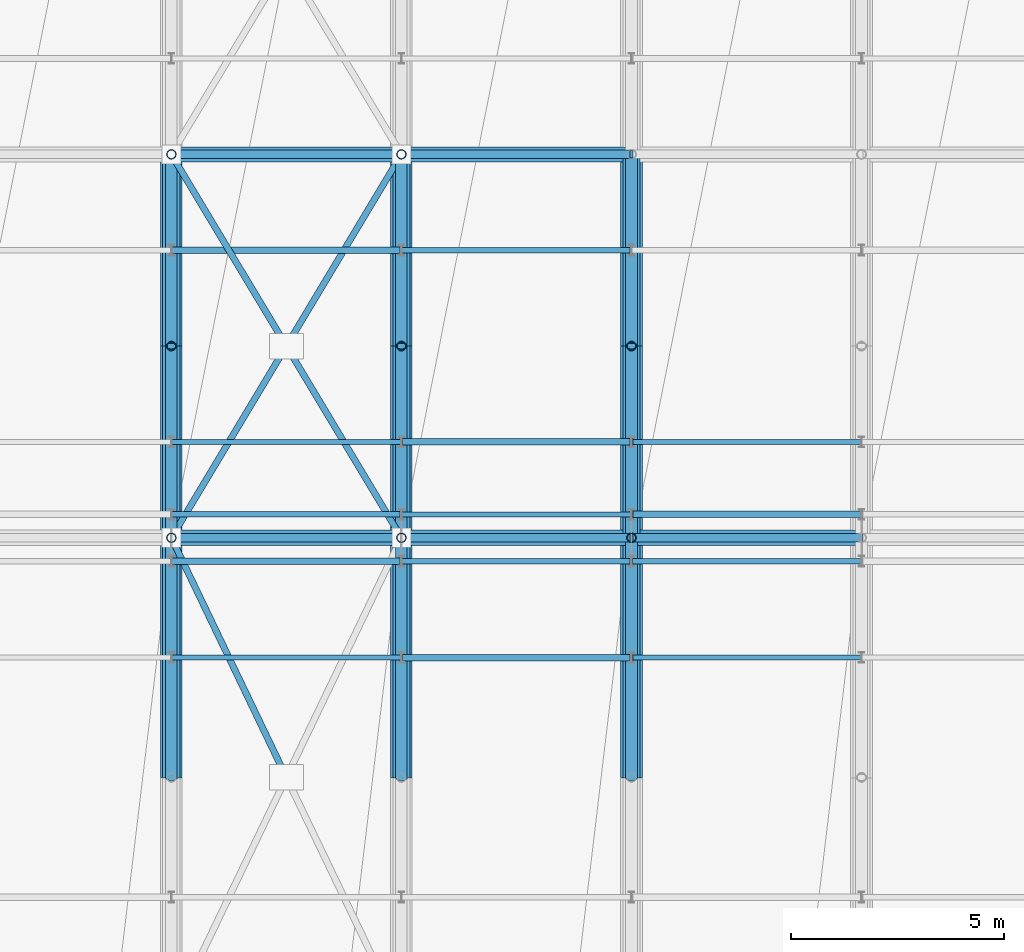
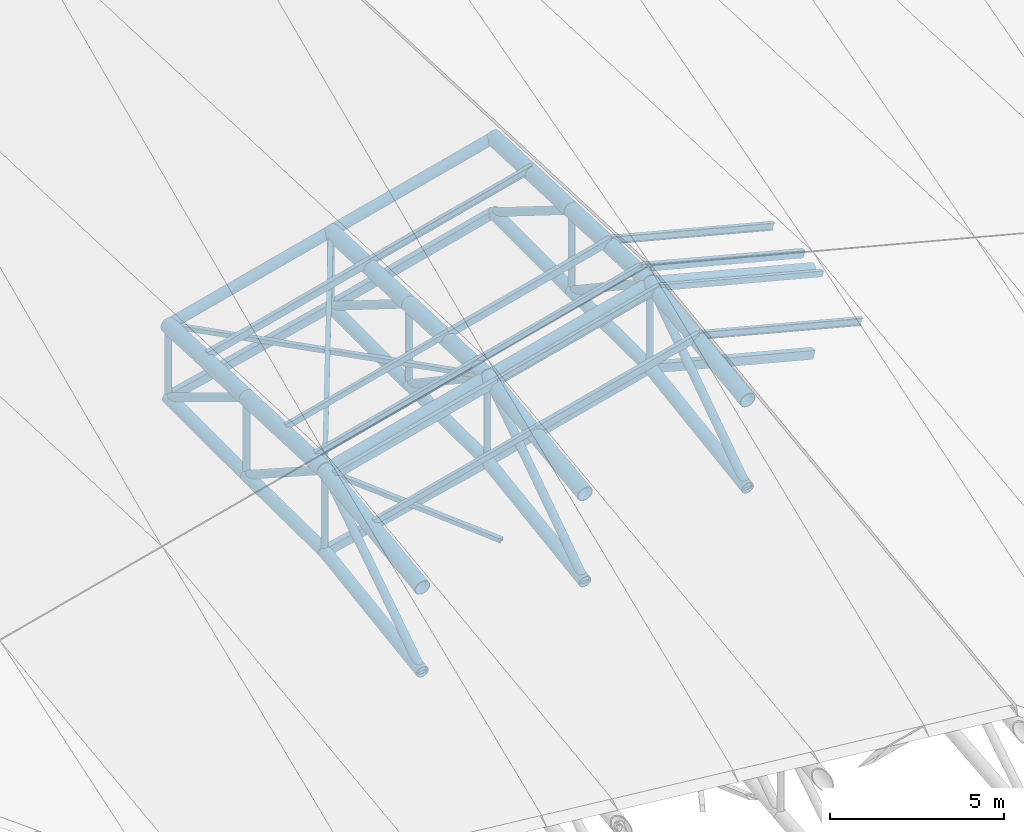
# One storey, part 23 of 109: 45 members, 18 beams.
"""IFC4 building model written with IfcOpenShell, lengths in metres."""

from ifc_helpers import new_model, si_unit, direction, frame, origin, origin_2d, place, context, subcontext, project, spatial, hollow_rectangle, hollow_circle, i_section, extrude, material, material_profile, profile_set, type_object, element, save


model = new_model("IFC4")

# Units and contexts
model_context = context("Model", 3, precision=1e-05, world=origin(), true_north=direction((0.0, 1.0)))
body_context = subcontext(model_context, "Body", "Model", "MODEL_VIEW")
ifc_project = project(units=[si_unit("LENGTHUNIT", "METRE"), si_unit("AREAUNIT", "SQUARE_METRE"), si_unit("VOLUMEUNIT", "CUBIC_METRE"), si_unit("PLANEANGLEUNIT", "RADIAN"), si_unit("MASSUNIT", "GRAM", prefix="KILO")], contexts=[model_context])

# Site, building, storey
site_placement = place(None, origin())
site = spatial("IfcSite", under=ifc_project, at=site_placement, CompositionType="ELEMENT")
building_placement = place(site_placement, origin())
building = spatial("IfcBuilding", under=site, at=building_placement, Name="Suirenkawa Promenade Aquatics Centre", CompositionType="ELEMENT")
storey_placement = place(building_placement, frame((0.0, 0.0, 22.800048828125)))
storey = spatial("IfcBuildingStorey", under=building, at=storey_placement, Name="ROOF", CompositionType="ELEMENT", Elevation=22.800048828125)

# Beams
ifc_material = material(Name="Steel IS 2062 E350 (Grade 350)", Category="steel")
ifc_material_profile_1 = material_profile(ifc_material, hollow_circle(Radius=0.202880859375, WallThickness=0.01806640625, at=origin_2d()), Name="CHS 406x18", Category="steel")
ifc_profile_set_1 = profile_set([ifc_material_profile_1], Name="Steel IS 2062 E350 (Grade 350)")
beam_type_1 = type_object("IfcBeamType", Name="BT-BC-CHS406", PredefinedType="BEAM", material=ifc_profile_set_1)
beam_1_placement = place(storey_placement, frame((100.800048828125, 89.77490234375, -10.083984375), z_axis=(0.0, 0.989465415769, 0.144769440823), x_axis=(-1.0, 0.0, 0.0)))
element("IfcBeam", 1, at=beam_1_placement, inside=storey, type_object=beam_type_1, Name="ROOF TRUSS V1 bottom chord BC-01 BM-2102", PredefinedType="BEAM", context=body_context, shape_type="SweptSolid", body=[
    extrude(hollow_circle(Radius=0.202880859375, WallThickness=0.01806640625, at=origin_2d()), origin(), (0.0, 0.0, 1.0), 5.684814453125),
])
beam_2_placement = place(storey_placement, frame((100.800048828125, 95.39990234375, -9.260986328125), z_axis=(0.0, 0.999949634201, -0.010036386845), x_axis=(-1.0, 0.0, 0.0)))
element("IfcBeam", 2, at=beam_2_placement, inside=storey, type_object=beam_type_1, Name="ROOF TRUSS V1 bottom chord BC-01 BM-2104", PredefinedType="BEAM", context=body_context, shape_type="SweptSolid", body=[
    extrude(hollow_circle(Radius=0.202880859375, WallThickness=0.01806640625, at=origin_2d()), origin(), (0.0, 0.0, 1.0), 4.500244140625),
])
beam_3_placement = place(storey_placement, frame((100.800048828125, 99.89990234375, -9.30615234375), z_axis=(0.0, 0.999999880791, 0.000488281192), x_axis=(-1.0, 0.0, 0.0)))
element("IfcBeam", 3, at=beam_3_placement, inside=storey, type_object=beam_type_1, Name="ROOF TRUSS V1 bottom chord BC-01 BM-2106", PredefinedType="BEAM", context=body_context, shape_type="SweptSolid", body=[
    extrude(hollow_circle(Radius=0.202880859375, WallThickness=0.01806640625, at=origin_2d()), origin(), (0.0, 0.0, 1.0), 4.5),
])
beam_4_placement = place(storey_placement, frame((106.199951171875, 89.77490234375, -8.80712890625), z_axis=(0.0, 0.989286297541, 0.145988429325), x_axis=(-1.0, 0.0, 0.0)))
element("IfcBeam", 4, at=beam_4_placement, inside=storey, type_object=beam_type_1, Name="ROOF TRUSS V1 bottom chord BC-01 BM-2130", PredefinedType="BEAM", context=body_context, shape_type="SweptSolid", body=[
    extrude(hollow_circle(Radius=0.202880859375, WallThickness=0.01806640625, at=origin_2d()), origin(), (0.0, 0.0, 1.0), 5.68603515625),
])
for number, where, z_axis, x_axis, name in (
    (5, (106.199951171875, 95.39990234375, -7.97705078125), (0.0, 0.999973178989, -0.007324022307), (-1.0, 0.0, 0.0), "ROOF TRUSS V1 bottom chord BC-01 BM-2132"),
    (6, (106.199951171875, 99.89990234375, -8.010009765625), (0.0, 0.999992993217, 0.003743463354), (-1.0, 0.0, 0.0), "ROOF TRUSS V1 bottom chord BC-01 BM-2134"),
):
    element("IfcBeam", number, at=place(storey_placement, frame(where, z_axis=z_axis, x_axis=x_axis)), inside=storey, type_object=beam_type_1, Name=name, PredefinedType="BEAM", context=body_context, shape_type="SweptSolid", body=[
        extrude(hollow_circle(Radius=0.202880859375, WallThickness=0.01806640625, at=origin_2d()), origin(), (0.0, 0.0, 1.0), 4.5),
    ])
beam_5_placement = place(storey_placement, frame((111.60009765625, 89.77490234375, -7.406982421875), z_axis=(0.0, 0.989292497948, 0.145946406273), x_axis=(-1.0, 0.0, 0.0)))
element("IfcBeam", 7, at=beam_5_placement, inside=storey, type_object=beam_type_1, Name="ROOF TRUSS V1 bottom chord BC-01 BM-2158", PredefinedType="BEAM", context=body_context, shape_type="SweptSolid", body=[
    extrude(hollow_circle(Radius=0.202880859375, WallThickness=0.01806640625, at=origin_2d()), origin(), (0.0, 0.0, 1.0), 5.685791015625),
])
for number, where, z_axis, x_axis, name in (
    (8, (111.60009765625, 95.39990234375, -6.5771484375), (0.0, 0.999973178989, -0.007324022307), (-1.0, 0.0, 0.0), "ROOF TRUSS V1 bottom chord BC-01 BM-2160"),
    (9, (111.60009765625, 99.89990234375, -6.610107421875), (0.0, 0.999992788652, 0.003797715669), (-1.0, 0.0, 0.0), "ROOF TRUSS V1 bottom chord BC-01 BM-2162"),
):
    element("IfcBeam", number, at=place(storey_placement, frame(where, z_axis=z_axis, x_axis=x_axis)), inside=storey, type_object=beam_type_1, Name=name, PredefinedType="BEAM", context=body_context, shape_type="SweptSolid", body=[
        extrude(hollow_circle(Radius=0.202880859375, WallThickness=0.01806640625, at=origin_2d()), origin(), (0.0, 0.0, 1.0), 4.5),
    ])
ifc_material_profile_2 = material_profile(ifc_material, hollow_circle(Radius=0.25390625, WallThickness=0.02392578125, at=origin_2d()), Name="CHS 508x24", Category="steel")
ifc_profile_set_2 = profile_set([ifc_material_profile_2], Name="Steel IS 2062 E350 (Grade 350)")
beam_type_2 = type_object("IfcBeamType", Name="BT-TC-CHS508", PredefinedType="BEAM", material=ifc_profile_set_2)
beam_6_placement = place(storey_placement, frame((100.800048828125, 89.77490234375, -7.125), z_axis=(0.0, 0.991799178012, 0.127806065951), x_axis=(-1.0, 0.0, 0.0)))
element("IfcBeam", 10, at=beam_6_placement, inside=storey, type_object=beam_type_2, Name="ROOF TRUSS V1 top chord TC-02 BM-2101", PredefinedType="BEAM", context=body_context, shape_type="SweptSolid", body=[
    extrude(hollow_circle(Radius=0.25390625, WallThickness=0.02392578125, at=origin_2d()), origin(), (0.0, 0.0, 1.0), 5.671630859375),
])
for number, where, z_axis, x_axis, name in (
    (11, (100.800048828125, 95.39990234375, -6.400146484375), (0.0, 0.999175384927, -0.040602341759), (-1.0, 0.0, 0.0), "ROOF TRUSS V1 top chord TC-02 BM-2103"),
    (12, (100.800048828125, 99.89990234375, -6.5830078125), (0.0, 0.999164352475, -0.040872934124), (-1.0, 0.0, 0.0), "ROOF TRUSS V1 top chord TC-02 BM-2105"),
):
    element("IfcBeam", number, at=place(storey_placement, frame(where, z_axis=z_axis, x_axis=x_axis)), inside=storey, type_object=beam_type_2, Name=name, PredefinedType="BEAM", context=body_context, shape_type="SweptSolid", body=[
        extrude(hollow_circle(Radius=0.25390625, WallThickness=0.02392578125, at=origin_2d()), origin(), (0.0, 0.0, 1.0), 4.503662109375),
    ])
beam_7_placement = place(storey_placement, frame((106.199951171875, 89.77490234375, -5.72509765625), z_axis=(0.0, 0.991793720609, 0.127848409297), x_axis=(-1.0, 0.0, 0.0)))
element("IfcBeam", 13, at=beam_7_placement, inside=storey, type_object=beam_type_2, Name="ROOF TRUSS V1 top chord TC-02 BM-2129", PredefinedType="BEAM", context=body_context, shape_type="SweptSolid", body=[
    extrude(hollow_circle(Radius=0.25390625, WallThickness=0.02392578125, at=origin_2d()), origin(), (0.0, 0.0, 1.0), 5.671630859375),
])
for number, where, z_axis, x_axis, name in (
    (14, (106.199951171875, 95.39990234375, -5.0), (0.0, 0.999173184279, -0.040656460949), (-1.0, 0.0, 0.0), "ROOF TRUSS V1 top chord TC-02 BM-2131"),
    (15, (106.199951171875, 99.89990234375, -5.18310546875), (0.0, 0.999166564808, -0.040818816368), (-1.0, 0.0, 0.0), "ROOF TRUSS V1 top chord TC-02 BM-2133"),
):
    element("IfcBeam", number, at=place(storey_placement, frame(where, z_axis=z_axis, x_axis=x_axis)), inside=storey, type_object=beam_type_2, Name=name, PredefinedType="BEAM", context=body_context, shape_type="SweptSolid", body=[
        extrude(hollow_circle(Radius=0.25390625, WallThickness=0.02392578125, at=origin_2d()), origin(), (0.0, 0.0, 1.0), 4.503662109375),
    ])
beam_8_placement = place(storey_placement, frame((111.60009765625, 89.77490234375, -4.324951171875), z_axis=(0.0, 0.991799178012, 0.127806065951), x_axis=(-1.0, 0.0, 0.0)))
element("IfcBeam", 16, at=beam_8_placement, inside=storey, type_object=beam_type_2, Name="ROOF TRUSS V1 top chord TC-02 BM-2157", PredefinedType="BEAM", context=body_context, shape_type="SweptSolid", body=[
    extrude(hollow_circle(Radius=0.25390625, WallThickness=0.02392578125, at=origin_2d()), origin(), (0.0, 0.0, 1.0), 5.671630859375),
])
for number, where, z_axis, x_axis, name in (
    (17, (111.60009765625, 95.39990234375, -3.60009765625), (0.0, 0.999175384927, -0.040602341759), (-1.0, 0.0, 0.0), "ROOF TRUSS V1 top chord TC-02 BM-2159"),
    (18, (111.60009765625, 99.89990234375, -3.782958984375), (0.0, 0.999164352475, -0.040872934124), (-1.0, 0.0, 0.0), "ROOF TRUSS V1 top chord TC-02 BM-2161"),
):
    element("IfcBeam", number, at=place(storey_placement, frame(where, z_axis=z_axis, x_axis=x_axis)), inside=storey, type_object=beam_type_2, Name=name, PredefinedType="BEAM", context=body_context, shape_type="SweptSolid", body=[
        extrude(hollow_circle(Radius=0.25390625, WallThickness=0.02392578125, at=origin_2d()), origin(), (0.0, 0.0, 1.0), 4.503662109375),
    ])

# Members
ifc_material_profile_3 = material_profile(ifc_material, hollow_rectangle(XDim=0.14990234375, YDim=0.14990234375, WallThickness=0.008056640625, at=origin_2d()), Name="SHS 150x150x8", Category="steel")
ifc_profile_set_3 = profile_set([ifc_material_profile_3], Name="Steel IS 2062 E350 (Grade 350)")
member_type_1 = type_object("IfcMemberType", Name="MT-BRACE-SHS150", PredefinedType="BRACE", material=ifc_profile_set_3)
member_1_placement = place(storey_placement, frame((103.462890625, 89.85205078125, -6.425048828125), z_axis=(-0.432710757709, 0.901523724047, 0.004046621187), x_axis=(-0.901531105428, -0.432714300603, 0.0)))
element("IfcMember", 19, at=member_1_placement, inside=storey, type_object=member_type_1, Name="ROOF TRUSS V1 split plan brace B BF-02 MB-0949", PredefinedType="BRACE", context=body_context, shape_type="SweptSolid", body=[
    extrude(hollow_rectangle(XDim=0.14990234375, YDim=0.14990234375, WallThickness=0.008056640625, at=origin_2d()), origin(), (0.0, 0.0, 1.0), 6.15380859375),
])
member_2_placement = place(storey_placement, frame((100.800048828125, 95.39990234375, -6.400146484375), z_axis=(0.512014028054, 0.853372146224, 0.097967418696), x_axis=(-0.857497030584, 0.514488913912, 0.0)))
element("IfcMember", 20, at=member_2_placement, inside=storey, type_object=member_type_1, Name="ROOF TRUSS V1 continuous plan brace BF-02 MB-0950", PredefinedType="BRACE", context=body_context, shape_type="SweptSolid", body=[
    extrude(hollow_rectangle(XDim=0.14990234375, YDim=0.14990234375, WallThickness=0.008056640625, at=origin_2d()), origin(), (0.0, 0.0, 1.0), 10.54638671875),
])
for number, where, z_axis, x_axis, name in (
    (21, (106.199951171875, 95.39990234375, -5.0), (-0.507387164148, 0.845583110921, -0.165974299767), (-0.857476239003, -0.514523565588, 0.0), "ROOF TRUSS V1 split plan brace A BF-02 MB-0951"),
    (22, (103.45703125, 99.971923828125, -5.89794921875), (-0.507387164148, 0.845583110921, -0.165974299767), (-0.857476239003, -0.514523565588, 0.0), "ROOF TRUSS V1 split plan brace B BF-02 MB-0952"),
):
    element("IfcMember", number, at=place(storey_placement, frame(where, z_axis=z_axis, x_axis=x_axis)), inside=storey, type_object=member_type_1, Name=name, PredefinedType="BRACE", context=body_context, shape_type="SweptSolid", body=[
        extrude(hollow_rectangle(XDim=0.14990234375, YDim=0.14990234375, WallThickness=0.008056640625, at=origin_2d()), origin(), (0.0, 0.0, 1.0), 5.236572265625),
    ])
ifc_material_profile_4 = material_profile(ifc_material, hollow_circle(Radius=0.177978515625, WallThickness=0.01611328125, at=origin_2d()), Name="CHS 356x16", Category="steel")
ifc_profile_set_4 = profile_set([ifc_material_profile_4], Name="Steel IS 2062 E350 (Grade 350)")
member_type_2 = type_object("IfcMemberType", Name="MT-CHORD-CHS356", PredefinedType="CHORD", material=ifc_profile_set_4)
member_3_placement = place(storey_placement, frame((100.800048828125, 95.39990234375, -6.400146484375), z_axis=(0.967989416096, 0.0, 0.250991016426), x_axis=(0.0, 1.0, 0.0)))
element("IfcMember", 23, at=member_3_placement, inside=storey, type_object=member_type_2, Name="ROOF TRUSS V1 tie chord CH-02 MB-0828", PredefinedType="CHORD", context=body_context, shape_type="SweptSolid", body=[
    extrude(hollow_circle(Radius=0.177978515625, WallThickness=0.01611328125, at=origin_2d()), origin(), (0.0, 0.0, 1.0), 5.578369140625),
])
member_4_placement = place(storey_placement, frame((106.199951171875, 95.39990234375, -5.0), z_axis=(0.96800280427, 0.0, 0.250939376992), x_axis=(0.0, 1.0, 0.0)))
element("IfcMember", 24, at=member_4_placement, inside=storey, type_object=member_type_2, Name="ROOF TRUSS V1 tie chord CH-02 MB-0830", PredefinedType="CHORD", context=body_context, shape_type="SweptSolid", body=[
    extrude(hollow_circle(Radius=0.177978515625, WallThickness=0.01611328125, at=origin_2d()), origin(), (0.0, 0.0, 1.0), 5.57861328125),
])
for number, where, z_axis, x_axis, name in (
    (25, (111.60009765625, 95.39990234375, -3.60009765625), (0.968000048288, 0.0, -0.250950007997), (0.0, 1.0, 0.0), "ROOF TRUSS V1 tie chord CH-02 MB-0832"),
    (26, (100.800048828125, 104.39990234375, -6.76708984375), (0.967989416096, 0.0, 0.250991016426), (0.0, 1.0, 0.0), "ROOF TRUSS V1 tie chord CH-02 MB-0868"),
):
    element("IfcMember", number, at=place(storey_placement, frame(where, z_axis=z_axis, x_axis=x_axis)), inside=storey, type_object=member_type_2, Name=name, PredefinedType="CHORD", context=body_context, shape_type="SweptSolid", body=[
        extrude(hollow_circle(Radius=0.177978515625, WallThickness=0.01611328125, at=origin_2d()), origin(), (0.0, 0.0, 1.0), 5.578369140625),
    ])
member_5_placement = place(storey_placement, frame((106.199951171875, 104.39990234375, -5.366943359375), z_axis=(0.96800280427, 0.0, 0.250939376992), x_axis=(0.0, 1.0, 0.0)))
element("IfcMember", 27, at=member_5_placement, inside=storey, type_object=member_type_2, Name="ROOF TRUSS V1 tie chord CH-02 MB-0870", PredefinedType="CHORD", context=body_context, shape_type="SweptSolid", body=[
    extrude(hollow_circle(Radius=0.177978515625, WallThickness=0.01611328125, at=origin_2d()), origin(), (0.0, 0.0, 1.0), 5.57861328125),
])
ifc_material_profile_5 = material_profile(ifc_material, hollow_rectangle(XDim=0.199951171875, YDim=0.300048828125, WallThickness=0.011962890625, at=origin_2d()), Name="RHS 300x200x12", Category="steel")
ifc_profile_set_5 = profile_set([ifc_material_profile_5], Name="Steel IS 2062 E350 (Grade 350)")
member_type_3 = type_object("IfcMemberType", Name="MT-CHORD-RHS300", PredefinedType="CHORD", material=ifc_profile_set_5)
member_6_placement = place(storey_placement, frame((100.800048828125, 95.39990234375, -9.260986328125), z_axis=(0.972877433151, 0.0, 0.231321205396), x_axis=(0.0, 1.0, 0.0)))
element("IfcMember", 28, at=member_6_placement, inside=storey, type_object=member_type_3, Name="ROOF TRUSS V1 bottom tie CH-03 MB-0829", PredefinedType="CHORD", context=body_context, shape_type="SweptSolid", body=[
    extrude(hollow_rectangle(XDim=0.199951171875, YDim=0.300048828125, WallThickness=0.011962890625, at=origin_2d()), origin(), (0.0, 0.0, 1.0), 5.550537109375),
])
member_7_placement = place(storey_placement, frame((106.199951171875, 95.39990234375, -7.97705078125), z_axis=(0.96800280427, 0.0, 0.250939376992), x_axis=(0.0, 1.0, 0.0)))
element("IfcMember", 29, at=member_7_placement, inside=storey, type_object=member_type_3, Name="ROOF TRUSS V1 bottom tie CH-03 MB-0831", PredefinedType="CHORD", context=body_context, shape_type="SweptSolid", body=[
    extrude(hollow_rectangle(XDim=0.199951171875, YDim=0.300048828125, WallThickness=0.011962890625, at=origin_2d()), origin(), (0.0, 0.0, 1.0), 5.57861328125),
])
member_8_placement = place(storey_placement, frame((111.60009765625, 95.39990234375, -6.5771484375), z_axis=(0.968000048288, 0.0, -0.250950007997), x_axis=(0.0, 1.0, 0.0)))
element("IfcMember", 30, at=member_8_placement, inside=storey, type_object=member_type_3, Name="ROOF TRUSS V1 bottom tie CH-03 MB-0833", PredefinedType="CHORD", context=body_context, shape_type="SweptSolid", body=[
    extrude(hollow_rectangle(XDim=0.199951171875, YDim=0.300048828125, WallThickness=0.011962890625, at=origin_2d()), origin(), (0.0, 0.0, 1.0), 5.578369140625),
])
member_9_placement = place(storey_placement, frame((100.800048828125, 104.39990234375, -9.303955078125), z_axis=(0.971779032102, 0.0, 0.235893011274), x_axis=(0.0, 1.0, 0.0)))
element("IfcMember", 31, at=member_9_placement, inside=storey, type_object=member_type_3, Name="ROOF TRUSS V1 bottom tie CH-03 MB-0869", PredefinedType="CHORD", context=body_context, shape_type="SweptSolid", body=[
    extrude(hollow_rectangle(XDim=0.199951171875, YDim=0.300048828125, WallThickness=0.011962890625, at=origin_2d()), origin(), (0.0, 0.0, 1.0), 5.556640625),
])
member_10_placement = place(storey_placement, frame((106.199951171875, 104.39990234375, -7.9931640625), z_axis=(0.967992172948, 0.0, 0.250980383917), x_axis=(0.0, 1.0, 0.0)))
element("IfcMember", 32, at=member_10_placement, inside=storey, type_object=member_type_3, Name="ROOF TRUSS V1 bottom tie CH-03 MB-0871", PredefinedType="CHORD", context=body_context, shape_type="SweptSolid", body=[
    extrude(hollow_rectangle(XDim=0.199951171875, YDim=0.300048828125, WallThickness=0.011962890625, at=origin_2d()), origin(), (0.0, 0.0, 1.0), 5.57861328125),
])
ifc_material_profile_6 = material_profile(ifc_material, i_section(OverallWidth=0.125, OverallDepth=0.25, WebThickness=0.007080078125, FlangeThickness=0.012939453125, at=origin_2d()), Name="ISMB 250", Category="steel")
ifc_profile_set_6 = profile_set([ifc_material_profile_6], Name="Steel IS 2062 E350 (Grade 350)")
member_type_4 = type_object("IfcMemberType", Name="MT-PURLIN-ISMB250", PredefinedType="PURLIN", material=ifc_profile_set_6)
member_11_placement = place(storey_placement, frame((100.800048828125, 95.949951171875, -6.194091796875), z_axis=(0.967989416096, 0.0, 0.250991016426), x_axis=(0.0, 1.0, 0.0)))
element("IfcMember", 33, at=member_11_placement, inside=storey, type_object=member_type_4, Name="ROOF TRUSS Roof purlin PU-04 MB-2067", PredefinedType="PURLIN", context=body_context, shape_type="SweptSolid", body=[
    extrude(i_section(OverallWidth=0.125, OverallDepth=0.25, WebThickness=0.007080078125, FlangeThickness=0.012939453125, at=origin_2d()), origin(), (0.0, 0.0, 1.0), 5.578369140625),
])
for number, where, z_axis, x_axis, name in (
    (34, (106.199951171875, 94.85009765625, -4.85009765625), (0.967992172948, 0.0, 0.250980383917), (0.0, 1.0, 0.0), "ROOF TRUSS Roof purlin PU-04 MB-2101"),
    (35, (106.199951171875, 102.14990234375, -5.047119140625), (0.967992172948, 0.0, 0.250980383917), (0.0, 1.0, 0.0), "ROOF TRUSS Roof purlin PU-04 MB-2107"),
):
    element("IfcMember", number, at=place(storey_placement, frame(where, z_axis=z_axis, x_axis=x_axis)), inside=storey, type_object=member_type_4, Name=name, PredefinedType="PURLIN", context=body_context, shape_type="SweptSolid", body=[
        extrude(i_section(OverallWidth=0.125, OverallDepth=0.25, WebThickness=0.007080078125, FlangeThickness=0.012939453125, at=origin_2d()), origin(), (0.0, 0.0, 1.0), 5.57861328125),
    ])
member_12_placement = place(storey_placement, frame((111.60009765625, 92.587890625, -3.741943359375), z_axis=(0.968031935842, 0.0, -0.250826974605), x_axis=(0.0, 1.0, 0.0)))
element("IfcMember", 36, at=member_12_placement, inside=storey, type_object=member_type_4, Name="ROOF TRUSS Roof purlin PU-04 MB-2135", PredefinedType="PURLIN", context=body_context, shape_type="SweptSolid", body=[
    extrude(i_section(OverallWidth=0.125, OverallDepth=0.25, WebThickness=0.007080078125, FlangeThickness=0.012939453125, at=origin_2d()), origin(), (0.0, 0.0, 1.0), 5.578125),
])
member_13_placement = place(storey_placement, frame((111.60009765625, 97.64990234375, -3.463134765625), z_axis=(0.968000048288, 0.0, -0.250950007997), x_axis=(0.0, 1.0, 0.0)))
element("IfcMember", 37, at=member_13_placement, inside=storey, type_object=member_type_4, Name="ROOF TRUSS Roof purlin PU-04 MB-2141", PredefinedType="PURLIN", context=body_context, shape_type="SweptSolid", body=[
    extrude(i_section(OverallWidth=0.125, OverallDepth=0.25, WebThickness=0.007080078125, FlangeThickness=0.012939453125, at=origin_2d()), origin(), (0.0, 0.0, 1.0), 5.578369140625),
])
ifc_material_profile_7 = material_profile(ifc_material, hollow_rectangle(XDim=0.1201171875, YDim=0.199951171875, WallThickness=0.008056640625, at=origin_2d()), Name="RHS 200x120x8", Category="steel")
ifc_profile_set_7 = profile_set([ifc_material_profile_7], Name="Steel IS 2062 E350 (Grade 350)")
member_type_5 = type_object("IfcMemberType", Name="MT-PURLIN-RHS200", PredefinedType="PURLIN", material=ifc_profile_set_7)
for number, where, z_axis, x_axis, name in (
    (38, (100.800048828125, 92.587890625, -6.51611328125), (0.967989416096, 0.0, 0.250991016426), (0.0, 1.0, 0.0), "ROOF TRUSS Roof purlin PU-02 MB-2063"),
    (39, (100.800048828125, 97.64990234375, -6.238037109375), (0.968000048288, 0.0, 0.250950007997), (0.0, 1.0, 0.0), "ROOF TRUSS Roof purlin PU-02 MB-2069"),
):
    element("IfcMember", number, at=place(storey_placement, frame(where, z_axis=z_axis, x_axis=x_axis)), inside=storey, type_object=member_type_5, Name=name, PredefinedType="PURLIN", context=body_context, shape_type="SweptSolid", body=[
        extrude(hollow_rectangle(XDim=0.1201171875, YDim=0.199951171875, WallThickness=0.008056640625, at=origin_2d()), origin(), (0.0, 0.0, 1.0), 5.578369140625),
    ])
member_14_placement = place(storey_placement, frame((106.199951171875, 95.949951171875, -4.76904296875), z_axis=(0.96800280427, 0.0, 0.250939376992), x_axis=(0.0, 1.0, 0.0)))
element("IfcMember", 40, at=member_14_placement, inside=storey, type_object=member_type_5, Name="ROOF TRUSS Roof purlin PU-02 MB-2103", PredefinedType="PURLIN", context=body_context, shape_type="SweptSolid", body=[
    extrude(hollow_rectangle(XDim=0.1201171875, YDim=0.199951171875, WallThickness=0.008056640625, at=origin_2d()), origin(), (0.0, 0.0, 1.0), 5.57861328125),
])
member_15_placement = place(storey_placement, frame((111.60009765625, 94.85009765625, -3.425048828125), z_axis=(0.968000048288, 0.0, -0.250950007997), x_axis=(0.0, 1.0, 0.0)))
element("IfcMember", 41, at=member_15_placement, inside=storey, type_object=member_type_5, Name="ROOF TRUSS Roof purlin PU-02 MB-2137", PredefinedType="PURLIN", context=body_context, shape_type="SweptSolid", body=[
    extrude(hollow_rectangle(XDim=0.1201171875, YDim=0.199951171875, WallThickness=0.008056640625, at=origin_2d()), origin(), (0.0, 0.0, 1.0), 5.578369140625),
])
ifc_material_profile_8 = material_profile(ifc_material, hollow_rectangle(XDim=0.14990234375, YDim=0.25, WallThickness=0.010009765625, at=origin_2d()), Name="RHS 250x150x10", Category="steel")
ifc_profile_set_8 = profile_set([ifc_material_profile_8], Name="Steel IS 2062 E350 (Grade 350)")
member_type_6 = type_object("IfcMemberType", Name="MT-PURLIN-RHS250", PredefinedType="PURLIN", material=ifc_profile_set_8)
member_16_placement = place(storey_placement, frame((100.800048828125, 94.85009765625, -6.2509765625), z_axis=(0.968042562019, 0.0, 0.250785960773), x_axis=(0.0, 1.0, 0.0)))
element("IfcMember", 42, at=member_16_placement, inside=storey, type_object=member_type_6, Name="ROOF TRUSS Roof purlin PU-03 MB-2065", PredefinedType="PURLIN", context=body_context, shape_type="SweptSolid", body=[
    extrude(hollow_rectangle(XDim=0.14990234375, YDim=0.25, WallThickness=0.010009765625, at=origin_2d()), origin(), (0.0, 0.0, 1.0), 5.578125),
])
member_17_placement = place(storey_placement, frame((100.800048828125, 102.14990234375, -6.447021484375), z_axis=(0.968000048288, 0.0, 0.250950007997), x_axis=(0.0, 1.0, 0.0)))
element("IfcMember", 43, at=member_17_placement, inside=storey, type_object=member_type_6, Name="ROOF TRUSS Roof purlin PU-03 MB-2071", PredefinedType="PURLIN", context=body_context, shape_type="SweptSolid", body=[
    extrude(hollow_rectangle(XDim=0.14990234375, YDim=0.25, WallThickness=0.010009765625, at=origin_2d()), origin(), (0.0, 0.0, 1.0), 5.578369140625),
])
for number, where, z_axis, x_axis, name in (
    (44, (106.199951171875, 92.587890625, -5.14306640625), (0.96800280427, 0.0, 0.250939376992), (0.0, 1.0, 0.0), "ROOF TRUSS Roof purlin PU-03 MB-2099"),
    (45, (106.199951171875, 97.64990234375, -4.864013671875), (0.96800280427, 0.0, 0.250939376992), (0.0, 1.0, 0.0), "ROOF TRUSS Roof purlin PU-03 MB-2105"),
):
    element("IfcMember", number, at=place(storey_placement, frame(where, z_axis=z_axis, x_axis=x_axis)), inside=storey, type_object=member_type_6, Name=name, PredefinedType="PURLIN", context=body_context, shape_type="SweptSolid", body=[
        extrude(hollow_rectangle(XDim=0.14990234375, YDim=0.25, WallThickness=0.010009765625, at=origin_2d()), origin(), (0.0, 0.0, 1.0), 5.57861328125),
    ])
member_18_placement = place(storey_placement, frame((111.60009765625, 95.949951171875, -3.39501953125), z_axis=(0.967989416096, 0.0, -0.250991016426), x_axis=(0.0, 1.0, 0.0)))
element("IfcMember", 46, at=member_18_placement, inside=storey, type_object=member_type_6, Name="ROOF TRUSS Roof purlin PU-03 MB-2139", PredefinedType="PURLIN", context=body_context, shape_type="SweptSolid", body=[
    extrude(hollow_rectangle(XDim=0.14990234375, YDim=0.25, WallThickness=0.010009765625, at=origin_2d()), origin(), (0.0, 0.0, 1.0), 5.578369140625),
])
ifc_material_profile_9 = material_profile(ifc_material, hollow_circle(Radius=0.110107421875, WallThickness=0.010009765625, at=origin_2d()), Name="CHS 220x10", Category="steel")
ifc_profile_set_9 = profile_set([ifc_material_profile_9], Name="Steel IS 2062 E350 (Grade 350)")
member_type_7 = type_object("IfcMemberType", Name="MT-WEB-CHS220", PredefinedType="BRACE", material=ifc_profile_set_9)
member_19_placement = place(storey_placement, frame((100.800048828125, 95.39990234375, -9.260986328125), z_axis=(0.0, 0.0, 1.0), x_axis=(1.0, 0.0, 0.0)))
element("IfcMember", 47, at=member_19_placement, inside=storey, type_object=member_type_7, Name="ROOF TRUSS V1 web post TD-01 MB-0292", PredefinedType="BRACE", context=body_context, shape_type="SweptSolid", body=[
    extrude(hollow_circle(Radius=0.110107421875, WallThickness=0.010009765625, at=origin_2d()), origin(), (0.0, 0.0, 1.0), 2.86083984375),
])
member_20_placement = place(storey_placement, frame((100.800048828125, 99.89990234375, -9.30615234375), z_axis=(0.0, 0.0, 1.0), x_axis=(1.0, 0.0, 0.0)))
element("IfcMember", 48, at=member_20_placement, inside=storey, type_object=member_type_7, Name="ROOF TRUSS V1 web post TD-01 MB-0293", PredefinedType="BRACE", context=body_context, shape_type="SweptSolid", body=[
    extrude(hollow_circle(Radius=0.110107421875, WallThickness=0.010009765625, at=origin_2d()), origin(), (0.0, 0.0, 1.0), 2.72314453125),
])
member_21_placement = place(storey_placement, frame((100.800048828125, 104.39990234375, -9.303955078125), z_axis=(0.0, 0.0, 1.0), x_axis=(1.0, 0.0, 0.0)))
element("IfcMember", 49, at=member_21_placement, inside=storey, type_object=member_type_7, Name="ROOF TRUSS V1 web post TD-01 MB-0294", PredefinedType="BRACE", context=body_context, shape_type="SweptSolid", body=[
    extrude(hollow_circle(Radius=0.110107421875, WallThickness=0.010009765625, at=origin_2d()), origin(), (0.0, 0.0, 1.0), 2.536865234375),
])
member_22_placement = place(storey_placement, frame((106.199951171875, 95.39990234375, -7.97705078125), z_axis=(0.0, 0.0, 1.0), x_axis=(1.0, 0.0, 0.0)))
element("IfcMember", 50, at=member_22_placement, inside=storey, type_object=member_type_7, Name="ROOF TRUSS V1 web post TD-01 MB-0319", PredefinedType="BRACE", context=body_context, shape_type="SweptSolid", body=[
    extrude(hollow_circle(Radius=0.110107421875, WallThickness=0.010009765625, at=origin_2d()), origin(), (0.0, 0.0, 1.0), 2.97705078125),
])
member_23_placement = place(storey_placement, frame((106.199951171875, 99.89990234375, -8.010009765625), z_axis=(0.0, 0.0, 1.0), x_axis=(1.0, 0.0, 0.0)))
element("IfcMember", 51, at=member_23_placement, inside=storey, type_object=member_type_7, Name="ROOF TRUSS V1 web post TD-01 MB-0320", PredefinedType="BRACE", context=body_context, shape_type="SweptSolid", body=[
    extrude(hollow_circle(Radius=0.110107421875, WallThickness=0.010009765625, at=origin_2d()), origin(), (0.0, 0.0, 1.0), 2.826904296875),
])
member_24_placement = place(storey_placement, frame((106.199951171875, 104.39990234375, -7.9931640625), z_axis=(0.0, 0.0, 1.0), x_axis=(1.0, 0.0, 0.0)))
element("IfcMember", 52, at=member_24_placement, inside=storey, type_object=member_type_7, Name="ROOF TRUSS V1 web post TD-01 MB-0321", PredefinedType="BRACE", context=body_context, shape_type="SweptSolid", body=[
    extrude(hollow_circle(Radius=0.110107421875, WallThickness=0.010009765625, at=origin_2d()), origin(), (0.0, 0.0, 1.0), 2.626220703125),
])
member_25_placement = place(storey_placement, frame((111.60009765625, 95.39990234375, -6.5771484375), z_axis=(0.0, 0.0, 1.0), x_axis=(1.0, 0.0, 0.0)))
element("IfcMember", 53, at=member_25_placement, inside=storey, type_object=member_type_7, Name="ROOF TRUSS V1 web post TD-01 MB-0346", PredefinedType="BRACE", context=body_context, shape_type="SweptSolid", body=[
    extrude(hollow_circle(Radius=0.110107421875, WallThickness=0.010009765625, at=origin_2d()), origin(), (0.0, 0.0, 1.0), 2.97705078125),
])
member_26_placement = place(storey_placement, frame((111.60009765625, 99.89990234375, -6.610107421875), z_axis=(0.0, 0.0, 1.0), x_axis=(1.0, 0.0, 0.0)))
element("IfcMember", 54, at=member_26_placement, inside=storey, type_object=member_type_7, Name="ROOF TRUSS V1 web post TD-01 MB-0347", PredefinedType="BRACE", context=body_context, shape_type="SweptSolid", body=[
    extrude(hollow_circle(Radius=0.110107421875, WallThickness=0.010009765625, at=origin_2d()), origin(), (0.0, 0.0, 1.0), 2.8271484375),
])
ifc_material_profile_10 = material_profile(ifc_material, hollow_circle(Radius=0.136962890625, WallThickness=0.011962890625, at=origin_2d()), Name="CHS 274x12", Category="steel")
ifc_profile_set_10 = profile_set([ifc_material_profile_10], Name="Steel IS 2062 E350 (Grade 350)")
member_type_8 = type_object("IfcMemberType", Name="MT-WEB-CHS274", PredefinedType="BRACE", material=ifc_profile_set_10)
member_27_placement = place(storey_placement, frame((100.800048828125, 89.77490234375, -10.083984375), z_axis=(0.0, 0.836563849967, 0.547869441499), x_axis=(-1.0, 0.0, 0.0)))
element("IfcMember", 55, at=member_27_placement, inside=storey, type_object=member_type_8, Name="ROOF TRUSS V1 web diagonal TD-02 MB-0278", PredefinedType="BRACE", context=body_context, shape_type="SweptSolid", body=[
    extrude(hollow_circle(Radius=0.136962890625, WallThickness=0.011962890625, at=origin_2d()), origin(), (0.0, 0.0, 1.0), 6.723876953125),
])
member_28_placement = place(storey_placement, frame((100.800048828125, 95.39990234375, -6.400146484375), z_axis=(0.0, 0.840060148166, -0.54249326951), x_axis=(-1.0, 0.0, 0.0)))
element("IfcMember", 56, at=member_28_placement, inside=storey, type_object=member_type_8, Name="ROOF TRUSS V1 web diagonal TD-02 MB-0279", PredefinedType="BRACE", context=body_context, shape_type="SweptSolid", body=[
    extrude(hollow_circle(Radius=0.136962890625, WallThickness=0.011962890625, at=origin_2d()), origin(), (0.0, 0.0, 1.0), 5.356689453125),
])
member_29_placement = place(storey_placement, frame((100.800048828125, 99.89990234375, -6.5830078125), z_axis=(0.0, 0.855730549417, -0.517421710788), x_axis=(-1.0, 0.0, 0.0)))
element("IfcMember", 57, at=member_29_placement, inside=storey, type_object=member_type_8, Name="ROOF TRUSS V1 web diagonal TD-02 MB-0280", PredefinedType="BRACE", context=body_context, shape_type="SweptSolid", body=[
    extrude(hollow_circle(Radius=0.136962890625, WallThickness=0.011962890625, at=origin_2d()), origin(), (0.0, 0.0, 1.0), 5.258544921875),
])
member_30_placement = place(storey_placement, frame((106.199951171875, 89.77490234375, -8.80712890625), z_axis=(0.0, 0.828147975277, 0.560509528059), x_axis=(-1.0, 0.0, 0.0)))
element("IfcMember", 58, at=member_30_placement, inside=storey, type_object=member_type_8, Name="ROOF TRUSS V1 web diagonal TD-02 MB-0305", PredefinedType="BRACE", context=body_context, shape_type="SweptSolid", body=[
    extrude(hollow_circle(Radius=0.136962890625, WallThickness=0.011962890625, at=origin_2d()), origin(), (0.0, 0.0, 1.0), 6.792236328125),
])
member_31_placement = place(storey_placement, frame((106.199951171875, 95.39990234375, -5.0), z_axis=(0.0, 0.83119596855, -0.555979551663), x_axis=(-1.0, 0.0, 0.0)))
element("IfcMember", 59, at=member_31_placement, inside=storey, type_object=member_type_8, Name="ROOF TRUSS V1 web diagonal TD-02 MB-0306", PredefinedType="BRACE", context=body_context, shape_type="SweptSolid", body=[
    extrude(hollow_circle(Radius=0.136962890625, WallThickness=0.011962890625, at=origin_2d()), origin(), (0.0, 0.0, 1.0), 5.413818359375),
])
member_32_placement = place(storey_placement, frame((106.199951171875, 99.89990234375, -5.18310546875), z_axis=(0.0, 0.848205062223, -0.529667983192), x_axis=(-1.0, 0.0, 0.0)))
element("IfcMember", 60, at=member_32_placement, inside=storey, type_object=member_type_8, Name="ROOF TRUSS V1 web diagonal TD-02 MB-0307", PredefinedType="BRACE", context=body_context, shape_type="SweptSolid", body=[
    extrude(hollow_circle(Radius=0.136962890625, WallThickness=0.011962890625, at=origin_2d()), origin(), (0.0, 0.0, 1.0), 5.305419921875),
])
member_33_placement = place(storey_placement, frame((111.60009765625, 89.77490234375, -7.406982421875), z_axis=(0.0, 0.82816465987, 0.560484875927), x_axis=(-1.0, 0.0, 0.0)))
element("IfcMember", 61, at=member_33_placement, inside=storey, type_object=member_type_8, Name="ROOF TRUSS V1 web diagonal TD-02 MB-0332", PredefinedType="BRACE", context=body_context, shape_type="SweptSolid", body=[
    extrude(hollow_circle(Radius=0.136962890625, WallThickness=0.011962890625, at=origin_2d()), origin(), (0.0, 0.0, 1.0), 6.792236328125),
])
member_34_placement = place(storey_placement, frame((111.60009765625, 95.39990234375, -3.60009765625), z_axis=(0.0, 0.83119596855, -0.555979551663), x_axis=(-1.0, 0.0, 0.0)))
element("IfcMember", 62, at=member_34_placement, inside=storey, type_object=member_type_8, Name="ROOF TRUSS V1 web diagonal TD-02 MB-0333", PredefinedType="BRACE", context=body_context, shape_type="SweptSolid", body=[
    extrude(hollow_circle(Radius=0.136962890625, WallThickness=0.011962890625, at=origin_2d()), origin(), (0.0, 0.0, 1.0), 5.413818359375),
])
member_35_placement = place(storey_placement, frame((111.60009765625, 99.89990234375, -3.782958984375), z_axis=(0.0, 0.848205062223, -0.529667983192), x_axis=(-1.0, 0.0, 0.0)))
element("IfcMember", 63, at=member_35_placement, inside=storey, type_object=member_type_8, Name="ROOF TRUSS V1 web diagonal TD-02 MB-0334", PredefinedType="BRACE", context=body_context, shape_type="SweptSolid", body=[
    extrude(hollow_circle(Radius=0.136962890625, WallThickness=0.011962890625, at=origin_2d()), origin(), (0.0, 0.0, 1.0), 5.305419921875),
])

save(model, "model.ifc")
